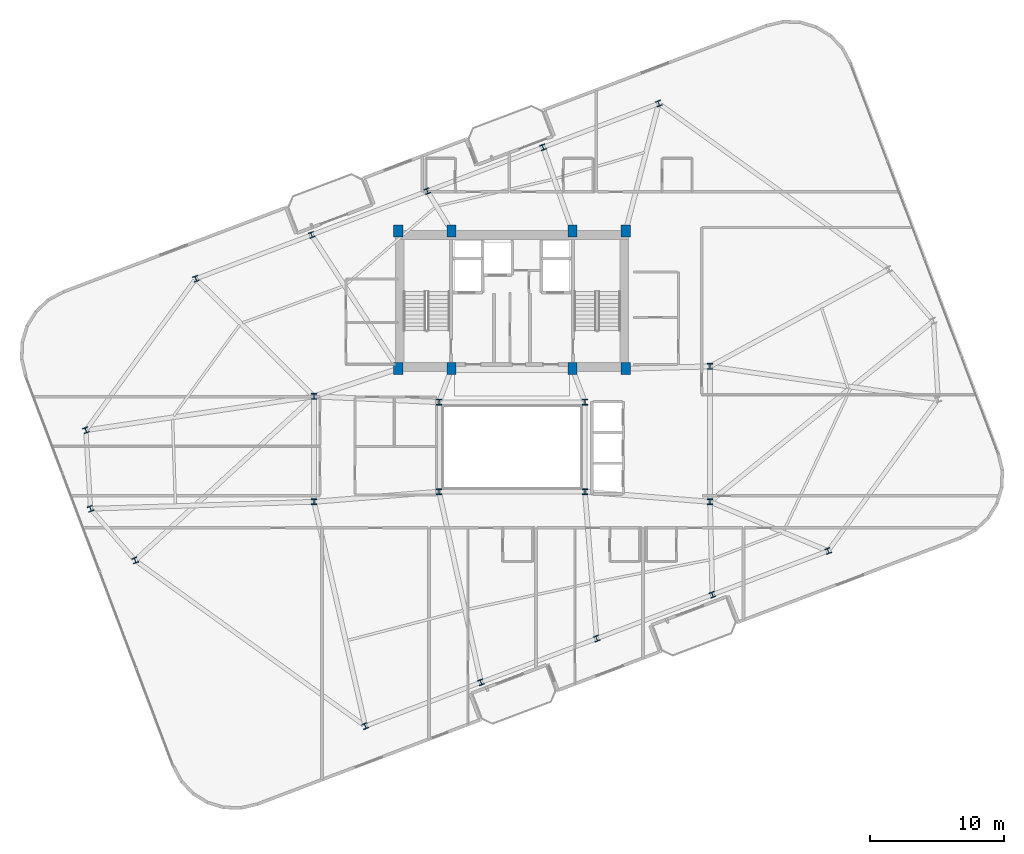
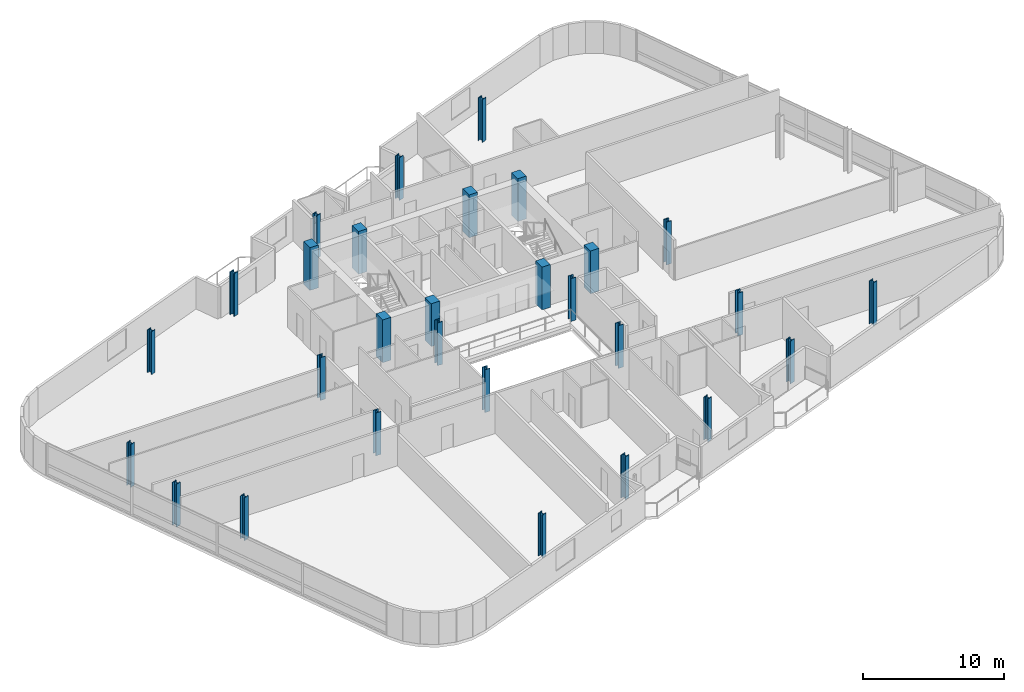
# One storey, part 1 of 20: 29 columns.
"""IFC4 building model written with IfcOpenShell, lengths in metres."""

from ifc_helpers import new_model, si_unit, direction, frame, origin, origin_2d, place, context, subcontext, project, spatial, rectangle, i_section, extrude, material, material_profile, profile_set, type_object, element, save


model = new_model("IFC4")

# Units and contexts
model_context = context("Model", 3, precision=1e-05, world=origin(), true_north=direction((0.0, 1.0)))
body_context = subcontext(model_context, "Body", "Model", "MODEL_VIEW")
ifc_project = project(units=[si_unit("LENGTHUNIT", "METRE"), si_unit("AREAUNIT", "SQUARE_METRE"), si_unit("VOLUMEUNIT", "CUBIC_METRE"), si_unit("PLANEANGLEUNIT", "RADIAN"), si_unit("MASSUNIT", "GRAM", prefix="KILO")], contexts=[model_context])

# Site, building, storey
site_placement = place(None, origin())
site = spatial("IfcSite", under=ifc_project, at=site_placement, CompositionType="ELEMENT")
building_placement = place(site_placement, origin())
building = spatial("IfcBuilding", under=site, at=building_placement, Name="Varnelok Gate Tower", CompositionType="ELEMENT")
storey_placement = place(building_placement, frame((0.0, 0.0, 238.60009765625)))
storey = spatial("IfcBuildingStorey", under=building, at=storey_placement, Name="L61", CompositionType="ELEMENT", Elevation=238.60009765625)

# Columns
ifc_material_1 = material(Name="Concrete C60/75", Category="concrete")
ifc_material_profile_1 = material_profile(ifc_material_1, rectangle(XDim=0.699951171875, YDim=0.89990234375, at=origin_2d()), Name="RC900X700")
ifc_profile_set_1 = profile_set([ifc_material_profile_1], Name="Concrete C60/75")
column_type_1 = type_object("IfcColumnType", Name="COL-RC900X700", PredefinedType="COLUMN", material=ifc_profile_set_1)
for number, where, z_axis, x_axis, name in (
    (1, (30.699951171875, 28.75, 0.0), (0.0, 0.0, 1.0), (1.0, 0.0, 0.0), "L61 Core Spine Column SC1"),
    (2, (34.679931640625, 28.75, 0.0), (0.0, 0.0, 1.0), (1.0, 0.0, 0.0), "L61 Core Spine Column SC2"),
    (3, (43.719970703125, 28.75, 0.0), (0.0, 0.0, 1.0), (1.0, 0.0, 0.0), "L61 Core Spine Column SC3"),
    (4, (47.699951171875, 28.75, 0.0), (0.0, 0.0, 1.0), (1.0, 0.0, 0.0), "L61 Core Spine Column SC4"),
    (5, (30.699951171875, 39.050048828125, 0.0), (0.0, 0.0, 1.0), (1.0, 0.0, 0.0), "L61 Core Spine Column SC5"),
    (6, (34.679931640625, 39.050048828125, 0.0), (0.0, 0.0, 1.0), (1.0, 0.0, 0.0), "L61 Core Spine Column SC6"),
    (7, (43.719970703125, 39.050048828125, 0.0), (0.0, 0.0, 1.0), (1.0, 0.0, 0.0), "L61 Core Spine Column SC7"),
    (8, (47.699951171875, 39.050048828125, 0.0), (0.0, 0.0, 1.0), (1.0, 0.0, 0.0), "L61 Core Spine Column SC8"),
):
    element("IfcColumn", number, at=place(storey_placement, frame(where, z_axis=z_axis, x_axis=x_axis)), inside=storey, type_object=column_type_1, Name=name, PredefinedType="COLUMN", context=body_context, shape_type="SweptSolid", body=[
        extrude(rectangle(XDim=0.699951171875, YDim=0.89990234375, at=origin_2d()), origin(), (0.0, 0.0, 1.0), 3.699951171875),
    ])
ifc_material_2 = material(Name="Structural Steel ASTM A992 Grade 50", Category="steel")
ifc_material_profile_2 = material_profile(ifc_material_2, i_section(OverallWidth=0.406005859375, OverallDepth=0.416015625, WebThickness=0.02978515625, FlangeThickness=0.048095703125, FilletRadius=0.02490234375, at=origin_2d()), Name="W14X257")
ifc_profile_set_2 = profile_set([ifc_material_profile_2], Name="Structural Steel ASTM A992 Grade 50")
column_type_2 = type_object("IfcColumnType", Name="COL-W14X257", PredefinedType="COLUMN", material=ifc_profile_set_2)
for number, where, z_axis, x_axis, name in (
    (9, (28.22900390625, 2.028076171875, 0.0), (0.0, 0.0, 1.0), (0.935221751401, 0.354062530786, 0.0), "L61 B5 Perimeter Column PC01"),
    (10, (36.8798828125, 5.30322265625, 0.0), (0.0, 0.0, 1.0), (0.935221751401, 0.354062530786, 0.0), "L61 B5 Perimeter Column PC02"),
    (11, (45.530517578125, 8.578125, 0.0), (0.0, 0.0, 1.0), (0.935221751401, 0.354062530786, 0.0), "L61 B5 Perimeter Column PC03"),
    (12, (54.181396484375, 11.853271484375, 0.0), (0.0, 0.0, 1.0), (0.935221751401, 0.354062530786, 0.0), "L61 B5 Perimeter Column PC04"),
    (13, (62.832275390625, 15.12841796875, 0.0), (0.0, 0.0, 1.0), (0.935221751401, 0.354062530786, 0.0), "L61 B5 Perimeter Column PC05"),
    (14, (50.1708984375, 48.572021484375, 0.0), (0.0, 0.0, 1.0), (0.935221751401, 0.354062530786, 0.0), "L61 B5 Perimeter Column PC09"),
    (15, (41.520263671875, 45.296875, 0.0), (0.0, 0.0, 1.0), (0.935221751401, 0.354062530786, 0.0), "L61 B5 Perimeter Column PC10"),
    (16, (32.869384765625, 42.021728515625, 0.0), (0.0, 0.0, 1.0), (0.935221751401, 0.354062530786, 0.0), "L61 B5 Perimeter Column PC11"),
    (17, (24.218505859375, 38.74658203125, 0.0), (0.0, 0.0, 1.0), (0.935221751401, 0.354062530786, 0.0), "L61 B5 Perimeter Column PC12"),
    (18, (15.56787109375, 35.4716796875, 0.0), (0.0, 0.0, 1.0), (0.935221751401, 0.354062530786, 0.0), "L61 B5 Perimeter Column PC13"),
    (19, (7.344970703125, 24.146484375, 0.0), (0.0, 0.0, 1.0), (0.935221751401, 0.354062530786, 0.0), "L61 B5 Perimeter Column PC14"),
    (20, (7.694580078125, 18.280517578125, 0.0), (0.0, 0.0, 1.0), (0.935221751401, 0.354062530786, 0.0), "L61 B5 Perimeter Column PC15"),
    (21, (11.027099609375, 14.42041015625, 0.0), (0.0, 0.0, 1.0), (0.935221751401, 0.354062530786, 0.0), "L61 B5 Perimeter Column PC16"),
):
    element("IfcColumn", number, at=place(storey_placement, frame(where, z_axis=z_axis, x_axis=x_axis)), inside=storey, type_object=column_type_2, Name=name, PredefinedType="COLUMN", context=body_context, shape_type="SweptSolid", body=[
        extrude(i_section(OverallWidth=0.406005859375, OverallDepth=0.416015625, WebThickness=0.02978515625, FlangeThickness=0.048095703125, FilletRadius=0.02490234375, at=origin_2d()), origin(), (0.0, 0.0, 1.0), 3.699951171875),
    ])
ifc_material_profile_3 = material_profile(ifc_material_2, i_section(OverallWidth=0.412109375, OverallDepth=0.43505859375, WebThickness=0.035888671875, FlangeThickness=0.057373046875, FilletRadius=0.02490234375, at=origin_2d()), Name="W14X311")
ifc_profile_set_3 = profile_set([ifc_material_profile_3], Name="Structural Steel ASTM A992 Grade 50")
column_type_3 = type_object("IfcColumnType", Name="COL-W14X311", PredefinedType="COLUMN", material=ifc_profile_set_3)
for number, where, z_axis, x_axis, name in (
    (22, (33.75, 19.550048828125, 0.0), (0.0, 0.0, 1.0), (1.0, 0.0, 0.0), "L61 Atrium Spine Column AC1"),
    (23, (44.64990234375, 19.550048828125, 0.0), (0.0, 0.0, 1.0), (1.0, 0.0, 0.0), "L61 Atrium Spine Column AC2"),
    (24, (33.75, 26.25, 0.0), (0.0, 0.0, 1.0), (1.0, 0.0, 0.0), "L61 Atrium Spine Column AC3"),
    (25, (44.64990234375, 26.25, 0.0), (0.0, 0.0, 1.0), (1.0, 0.0, 0.0), "L61 Atrium Spine Column AC4"),
    (26, (24.39990234375, 18.800048828125, 0.0), (0.0, 0.0, 1.0), (1.0, 0.0, 0.0), "L61 Wing Spine Column WS1"),
    (27, (24.39990234375, 26.679931640625, 0.0), (0.0, 0.0, 1.0), (1.0, 0.0, 0.0), "L61 Wing Spine Column WS2"),
    (28, (54.0, 18.800048828125, 0.0), (0.0, 0.0, 1.0), (1.0, 0.0, 0.0), "L61 Wing Spine Column ES1"),
    (29, (54.0, 28.919921875, 0.0), (0.0, 0.0, 1.0), (1.0, 0.0, 0.0), "L61 Wing Spine Column ES2"),
):
    element("IfcColumn", number, at=place(storey_placement, frame(where, z_axis=z_axis, x_axis=x_axis)), inside=storey, type_object=column_type_3, Name=name, PredefinedType="COLUMN", context=body_context, shape_type="SweptSolid", body=[
        extrude(i_section(OverallWidth=0.412109375, OverallDepth=0.43505859375, WebThickness=0.035888671875, FlangeThickness=0.057373046875, FilletRadius=0.02490234375, at=origin_2d()), origin(), (0.0, 0.0, 1.0), 3.699951171875),
    ])

save(model, "model.ifc")
